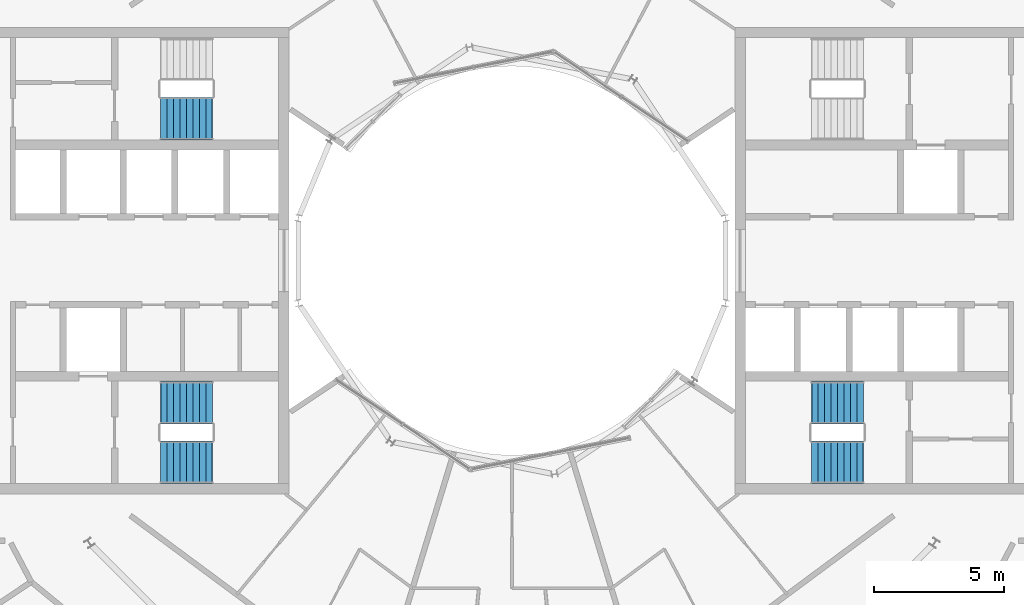
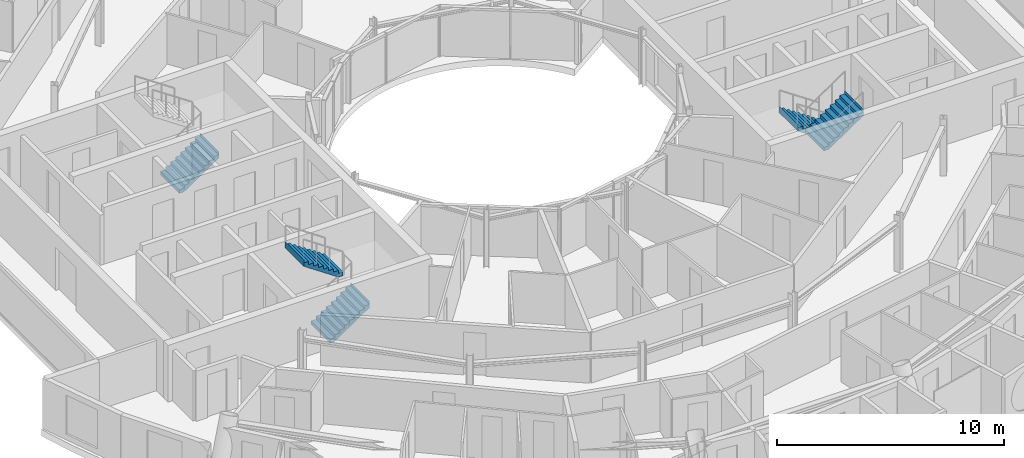
# One storey, part 25 of 28: 5 stair flights, 3 elements without a shape of their own.
"""IFC4 building model written with IfcOpenShell, lengths in metres."""

import ifcopenshell
import ifcopenshell.guid

model = None  # the IFC model being written
_history = None  # IfcOwnerHistory: only IFC2X3 demands one
_inside = {}  # id of a spatial element -> (the spatial element, [elements in it])
_under = {}  # id of a project, library or spatial element -> (it, [spatial elements below it])
_declared = {}  # id of a project -> (the project, [libraries it declares])
_typed = {}  # id of a type object -> (the type object, [elements of that type])
_made_of = {}  # id of a material, layer set ... -> (it, [elements and type objects made of it])


def new_model(schema):
    """Start an empty IFC model of exactly this schema.

    Asked for "IFC4X3", IfcOpenShell would pick the latest addendum, in which some entities
    have other attributes; the version numbers below select the first issue.
    IFC2X3 requires an IfcOwnerHistory on every rooted entity: one is made here for all.
    """
    global model, _history
    if schema == "IFC4X3":
        model = ifcopenshell.file(schema_version=(4, 3, 0, 0))
    else:
        model = ifcopenshell.file(schema=schema)
    _inside.clear()
    _under.clear()
    _declared.clear()
    _typed.clear()
    _made_of.clear()
    _history = None
    if model.schema == "IFC2X3":
        org = make("IfcOrganization", Name="unknown")
        user = make(
            "IfcPersonAndOrganization",
            ThePerson=make("IfcPerson", FamilyName="unknown"),
            TheOrganization=org,
        )
        app = make(
            "IfcApplication",
            ApplicationDeveloper=org,
            Version="unknown",
            ApplicationFullName="unknown",
            ApplicationIdentifier="unknown",
        )
        _history = make(
            "IfcOwnerHistory",
            OwningUser=user,
            OwningApplication=app,
            ChangeAction="ADDED",
            CreationDate=0,
        )
    return model


def make(cls, **values):
    """One entity of the class cls with the attributes given. An attribute that is None is left unset."""
    return model.create_entity(
        cls, **{name: value for name, value in values.items() if value is not None}
    )


def rooted(cls, **values):
    """An entity with a GlobalId (a new one), such as an element, a storey or a relation."""
    return make(cls, GlobalId=ifcopenshell.guid.new(), OwnerHistory=_history, **values)


def si_unit(unit_type, name, prefix=None):
    """IfcSIUnit, for example si_unit("LENGTHUNIT", "METRE", prefix="MILLI")."""
    return make("IfcSIUnit", UnitType=unit_type, Prefix=prefix, Name=name)


def assignment(units):
    """IfcUnitAssignment: the units of a project."""
    return None if units is None else make("IfcUnitAssignment", Units=units)


def point(xyz):
    """IfcCartesianPoint."""
    return None if xyz is None else make("IfcCartesianPoint", Coordinates=xyz)


def direction(xyz):
    """IfcDirection."""
    return None if xyz is None else make("IfcDirection", DirectionRatios=xyz)


def frame(location, z_axis=None, x_axis=None):
    """IfcAxis2Placement3D, a coordinate frame: its origin and axes. An axis left out is left unset."""
    return make(
        "IfcAxis2Placement3D",
        Location=point(location),
        Axis=direction(z_axis),
        RefDirection=direction(x_axis),
    )


def origin():
    """The frame at (0, 0, 0) with its axes left unset."""
    return frame((0.0, 0.0, 0.0))


def place(relative_to, where):
    """IfcLocalPlacement: puts the frame where relative to a parent placement (None: the world)."""
    return make(
        "IfcLocalPlacement", PlacementRelTo=relative_to, RelativePlacement=where
    )


def context(
    kind, dimensions, precision=None, world=None, true_north=None, identifier=None
):
    """IfcGeometricRepresentationContext, for example the 3D "Model" context."""
    return make(
        "IfcGeometricRepresentationContext",
        ContextIdentifier=identifier,
        ContextType=kind,
        CoordinateSpaceDimension=dimensions,
        Precision=precision,
        WorldCoordinateSystem=world,
        TrueNorth=true_north,
    )


def subcontext(parent, identifier, kind, view, scale=None):
    """IfcGeometricRepresentationSubContext, for example "Body" below "Model"."""
    return make(
        "IfcGeometricRepresentationSubContext",
        ContextIdentifier=identifier,
        ContextType=kind,
        ParentContext=parent,
        TargetScale=scale,
        TargetView=view,
    )


def project(units=None, contexts=None):
    """IfcProject with its units and contexts."""
    return rooted(
        "IfcProject",
        Name="project",
        RepresentationContexts=contexts,
        UnitsInContext=assignment(units),
    )


def spatial(cls, under=None, at=None, **own):
    """A site, building, storey or space (cls), placed at a placement, below another one or the project."""
    s = rooted(cls, ObjectPlacement=at, **own)
    if under is not None:
        _under.setdefault(under.id(), (under, []))[1].append(s)
    return s


def point_list(points):
    """IfcCartesianPointList2D or 3D."""
    cls = (
        "IfcCartesianPointList2D" if len(points[0]) == 2 else "IfcCartesianPointList3D"
    )
    return make(cls, CoordList=points)


def triangles(points, corners, closed=None, point_numbers=None):
    """IfcTriangulatedFaceSet: each triangle names its three corners, points numbered from 1."""
    return make(
        "IfcTriangulatedFaceSet",
        Coordinates=point_list(points),
        Closed=closed,
        CoordIndex=corners,
        PnIndex=point_numbers,
    )


def shape(context_of_items, identifier, shape_type, items):
    """IfcShapeRepresentation: the items that make up one representation, for example the "Body"."""
    return make(
        "IfcShapeRepresentation",
        ContextOfItems=context_of_items,
        RepresentationIdentifier=identifier,
        RepresentationType=shape_type,
        Items=items,
    )


def material(Name=None, Category=None):
    """IfcMaterial."""
    return make("IfcMaterial", Name=Name, Category=Category)


def made_of(thing, what):
    """Note that an element or type object is made of a material, layer set ...; save() writes the relation."""
    if what is not None:
        _made_of.setdefault(what.id(), (what, []))[1].append(thing)
    return thing


def type_object(cls, material=None, **own):
    """A type object (cls), such as IfcWallType, which elements share."""
    return made_of(rooted(cls, **own), material)


def element(
    cls,
    number,
    at=None,
    inside=None,
    cuts=None,
    type_object=None,
    material=None,
    context=None,
    identifier="Body",
    shape_type=None,
    held_by="IfcProductDefinitionShape",
    body=None,
    shapes=None,
    **own,
):
    """One element of the class cls, such as IfcWall. Its Tag is "e" and its number.

    at: its placement. inside: the storey or other place that contains it. cuts: it is an
    opening in that element (IfcRelVoidsElement). A single representation is given by context,
    identifier, shape_type and body (its items); several are given by shapes. held_by: the class
    of the entity that holds the representations. save() writes the other relations.
    """
    e = rooted(cls, Tag="e%d" % number, ObjectPlacement=at, **own)
    if body is not None:
        shapes = [shape(context, identifier, shape_type, body)]
    if shapes is not None:
        e.Representation = make(held_by, Representations=shapes)
    if inside is not None:
        _inside.setdefault(inside.id(), (inside, []))[1].append(e)
    if cuts is not None:
        rooted(
            "IfcRelVoidsElement", RelatingBuildingElement=cuts, RelatedOpeningElement=e
        )
    if type_object is not None:
        _typed.setdefault(type_object.id(), (type_object, []))[1].append(e)
    return made_of(e, material)


def aggregate(whole, parts):
    """IfcRelAggregates: a whole, such as a stair, and the parts it consists of."""
    return rooted("IfcRelAggregates", RelatingObject=whole, RelatedObjects=parts)


def save(model, path):
    """Write the relations noted so far, then the file.

    IfcRelAggregates (storeys below a building ...), IfcRelContainedInSpatialStructure (elements
    in a storey), IfcRelDefinesByType, IfcRelAssociatesMaterial and IfcRelDeclares: one each for
    every whole, place, type object, material and project.
    """
    for whole, parts in _under.values():
        aggregate(whole, parts)
    for where, things in _inside.values():
        rooted(
            "IfcRelContainedInSpatialStructure",
            RelatedElements=things,
            RelatingStructure=where,
        )
    for kind, things in _typed.values():
        rooted("IfcRelDefinesByType", RelatedObjects=things, RelatingType=kind)
    for what, things in _made_of.values():
        rooted("IfcRelAssociatesMaterial", RelatedObjects=things, RelatingMaterial=what)
    for by, libraries in _declared.values():
        rooted("IfcRelDeclares", RelatingContext=by, RelatedDefinitions=libraries)
    model.write(path)


model = new_model("IFC4")

# Units and contexts
model_context = context("Model", 3, precision=1e-05, world=origin(), true_north=direction((0.0, 1.0)))
body_context = subcontext(model_context, "Body", "Model", "MODEL_VIEW")
ifc_project = project(units=[si_unit("LENGTHUNIT", "METRE"), si_unit("AREAUNIT", "SQUARE_METRE"), si_unit("VOLUMEUNIT", "CUBIC_METRE"), si_unit("PLANEANGLEUNIT", "RADIAN"), si_unit("MASSUNIT", "GRAM", prefix="KILO")], contexts=[model_context])

# Site, building, storey
site_placement = place(None, origin())
site = spatial("IfcSite", under=ifc_project, at=site_placement, CompositionType="ELEMENT")
building_placement = place(site_placement, origin())
building = spatial("IfcBuilding", under=site, at=building_placement, Name="Maasbend Ring Residences", CompositionType="ELEMENT")
storey_placement = place(building_placement, frame((0.0, 0.0, 231.0)))
storey = spatial("IfcBuildingStorey", under=building, at=storey_placement, Name="L66", CompositionType="ELEMENT", Elevation=231.0)

# Stair, stair flights
ifc_material_1 = material(Name="Concrete C40/50", Category="concrete")
stair_type = type_object("IfcStairType", Name="CORE STAIR 18 RISERS", PredefinedType="HALF_TURN_STAIR", material=ifc_material_1)
stair_1_placement = place(storey_placement, origin())
stair_1 = element("IfcStair", 1, at=stair_1_placement, inside=storey, type_object=stair_type, Name="L66 Exit stair ST-E2", PredefinedType="HALF_TURN_STAIR")
ifc_material_2 = material(Name="Concrete C40/50", Category="concrete")
stair_flight_type = type_object("IfcStairFlightType", Name="CORE STAIR FLIGHT 1650", PredefinedType="STRAIGHT", material=ifc_material_2)
stair_flight_1_placement = place(storey_placement, frame((13.550048828125, -5.47509765625, 0.0), z_axis=(0.0, 0.0, 1.0), x_axis=(-1.0, 0.0, 0.0)))
stair_flight_1 = element("IfcStairFlight", 2, at=stair_flight_1_placement, type_object=stair_flight_type, Name="ST-E2 flight 1", NumberOfRisers=9, NumberOfTreads=8, PredefinedType="STRAIGHT", RiserHeight=0.169444444, TreadLength=0.25, context=body_context, shape_type="Tessellation", body=[
    triangles([(0.24072265625, 0.824951171875, -0.02001953125), (2.0029296875, 0.824951171875, 1.174560546875), (2.0029296875, 0.824951171875, 1.52490234375), (1.989990234375, 0.824951171875, 1.35546875), (1.75, 0.824951171875, 1.35546875), (1.75, 0.824951171875, 1.18603515625), (1.5, 0.824951171875, 1.18603515625), (1.5, 0.824951171875, 1.0166015625), (1.25, 0.824951171875, 1.0166015625), (1.25, 0.824951171875, 0.84716796875), (1.0, 0.824951171875, 0.84716796875), (1.0, 0.824951171875, 0.677734375), (0.75, 0.824951171875, 0.677734375), (0.75, 0.824951171875, 0.50830078125), (0.5, 0.824951171875, 0.50830078125), (0.5, 0.824951171875, 0.3388671875), (0.25, 0.824951171875, 0.3388671875), (0.25, 0.824951171875, 0.16943359375), (0.0, 0.824951171875, 0.16943359375), (0.0, 0.824951171875, 0.0), (-0.0029296875, 0.824951171875, 0.0), (-0.0029296875, 0.824951171875, -0.02001953125), (0.24072265625, 0.27490234375, -0.02001953125), (2.0029296875, 0.27490234375, 1.174560546875), (2.0029296875, 0.27490234375, 1.52490234375), (1.989990234375, 0.27490234375, 1.35546875), (1.75, 0.27490234375, 1.35546875), (1.75, 0.27490234375, 1.18603515625), (1.5, 0.27490234375, 1.18603515625), (1.5, 0.27490234375, 1.0166015625), (1.25, 0.27490234375, 1.0166015625), (1.25, 0.27490234375, 0.84716796875), (1.0, 0.27490234375, 0.84716796875), (1.0, 0.27490234375, 0.677734375), (0.75, 0.27490234375, 0.677734375), (0.75, 0.27490234375, 0.50830078125), (0.5, 0.27490234375, 0.50830078125), (0.5, 0.27490234375, 0.3388671875), (0.25, 0.27490234375, 0.3388671875), (0.25, 0.27490234375, 0.16943359375), (0.0, 0.27490234375, 0.16943359375), (0.0, 0.27490234375, 0.0), (-0.0029296875, 0.27490234375, 0.0), (-0.0029296875, 0.27490234375, -0.02001953125), (0.24072265625, -0.27490234375, -0.02001953125), (2.0029296875, -0.27490234375, 1.174560546875), (2.0029296875, -0.27490234375, 1.52490234375), (1.989990234375, -0.27490234375, 1.35546875), (1.75, -0.27490234375, 1.35546875), (1.75, -0.27490234375, 1.18603515625), (1.5, -0.27490234375, 1.18603515625), (1.5, -0.27490234375, 1.0166015625), (1.25, -0.27490234375, 1.0166015625), (1.25, -0.27490234375, 0.84716796875), (1.0, -0.27490234375, 0.84716796875), (1.0, -0.27490234375, 0.677734375), (0.75, -0.27490234375, 0.677734375), (0.75, -0.27490234375, 0.50830078125), (0.5, -0.27490234375, 0.50830078125), (0.5, -0.27490234375, 0.3388671875), (0.25, -0.27490234375, 0.3388671875), (0.25, -0.27490234375, 0.16943359375), (0.0, -0.27490234375, 0.16943359375), (0.0, -0.27490234375, 0.0), (-0.0029296875, -0.27490234375, 0.0), (-0.0029296875, -0.27490234375, -0.02001953125), (0.24072265625, -0.824951171875, -0.02001953125), (2.0029296875, -0.824951171875, 1.174560546875), (2.0029296875, -0.824951171875, 1.52490234375), (1.989990234375, -0.824951171875, 1.35546875), (1.75, -0.824951171875, 1.35546875), (1.75, -0.824951171875, 1.18603515625), (1.5, -0.824951171875, 1.18603515625), (1.5, -0.824951171875, 1.0166015625), (1.25, -0.824951171875, 1.0166015625), (1.25, -0.824951171875, 0.84716796875), (1.0, -0.824951171875, 0.84716796875), (1.0, -0.824951171875, 0.677734375), (0.75, -0.824951171875, 0.677734375), (0.75, -0.824951171875, 0.50830078125), (0.5, -0.824951171875, 0.50830078125), (0.5, -0.824951171875, 0.3388671875), (0.25, -0.824951171875, 0.3388671875), (0.25, -0.824951171875, 0.16943359375), (0.0, -0.824951171875, 0.16943359375), (0.0, -0.824951171875, 0.0), (-0.0029296875, -0.824951171875, 0.0), (-0.0029296875, -0.824951171875, -0.02001953125)], [[1, 2, 24], [1, 24, 23], [23, 24, 46], [23, 46, 45], [45, 46, 68], [45, 68, 67], [2, 3, 25], [2, 25, 24], [24, 25, 47], [24, 47, 46], [46, 47, 69], [46, 69, 68], [3, 4, 26], [3, 26, 25], [25, 26, 48], [25, 48, 47], [47, 48, 70], [47, 70, 69], [4, 5, 27], [4, 27, 26], [26, 27, 49], [26, 49, 48], [48, 49, 71], [48, 71, 70], [5, 6, 28], [5, 28, 27], [27, 28, 50], [27, 50, 49], [49, 50, 72], [49, 72, 71], [6, 7, 29], [6, 29, 28], [28, 29, 51], [28, 51, 50], [50, 51, 73], [50, 73, 72], [7, 8, 30], [7, 30, 29], [29, 30, 52], [29, 52, 51], [51, 52, 74], [51, 74, 73], [8, 9, 31], [8, 31, 30], [30, 31, 53], [30, 53, 52], [52, 53, 75], [52, 75, 74], [9, 10, 32], [9, 32, 31], [31, 32, 54], [31, 54, 53], [53, 54, 76], [53, 76, 75], [10, 11, 33], [10, 33, 32], [32, 33, 55], [32, 55, 54], [54, 55, 77], [54, 77, 76], [11, 12, 34], [11, 34, 33], [33, 34, 56], [33, 56, 55], [55, 56, 78], [55, 78, 77], [12, 13, 35], [12, 35, 34], [34, 35, 57], [34, 57, 56], [56, 57, 79], [56, 79, 78], [13, 14, 36], [13, 36, 35], [35, 36, 58], [35, 58, 57], [57, 58, 80], [57, 80, 79], [14, 15, 37], [14, 37, 36], [36, 37, 59], [36, 59, 58], [58, 59, 81], [58, 81, 80], [15, 16, 38], [15, 38, 37], [37, 38, 60], [37, 60, 59], [59, 60, 82], [59, 82, 81], [16, 17, 39], [16, 39, 38], [38, 39, 61], [38, 61, 60], [60, 61, 83], [60, 83, 82], [17, 18, 40], [17, 40, 39], [39, 40, 62], [39, 62, 61], [61, 62, 84], [61, 84, 83], [18, 19, 41], [18, 41, 40], [40, 41, 63], [40, 63, 62], [62, 63, 85], [62, 85, 84], [19, 20, 42], [19, 42, 41], [41, 42, 64], [41, 64, 63], [63, 64, 86], [63, 86, 85], [20, 21, 43], [20, 43, 42], [42, 43, 65], [42, 65, 64], [64, 65, 87], [64, 87, 86], [21, 22, 44], [21, 44, 43], [43, 44, 66], [43, 66, 65], [65, 66, 88], [65, 88, 87], [22, 1, 23], [22, 23, 44], [44, 23, 45], [44, 45, 66], [66, 45, 67], [66, 67, 88], [22, 2, 1], [2, 4, 3], [2, 5, 4], [2, 6, 5], [22, 6, 2], [6, 8, 7], [22, 8, 6], [8, 10, 9], [22, 10, 8], [10, 12, 11], [22, 12, 10], [12, 14, 13], [22, 14, 12], [14, 16, 15], [22, 16, 14], [16, 18, 17], [22, 18, 16], [18, 20, 19], [22, 20, 18], [20, 22, 21], [88, 67, 68], [68, 69, 70], [68, 70, 71], [68, 71, 72], [88, 68, 72], [72, 73, 74], [88, 72, 74], [74, 75, 76], [88, 74, 76], [76, 77, 78], [88, 76, 78], [78, 79, 80], [88, 78, 80], [80, 81, 82], [88, 80, 82], [82, 83, 84], [88, 82, 84], [84, 85, 86], [88, 84, 86], [86, 87, 88]], closed=True),
])
stair_flight_2_placement = place(storey_placement, frame((11.550048828125, -7.77490234375, 1.52490234375), z_axis=(0.0, 0.0, 1.0), x_axis=(1.0, 0.0, 0.0)))
stair_flight_2 = element("IfcStairFlight", 3, at=stair_flight_2_placement, type_object=stair_flight_type, Name="ST-E2 flight 2", NumberOfRisers=9, NumberOfTreads=8, PredefinedType="STRAIGHT", RiserHeight=0.169444444, TreadLength=0.25, context=body_context, shape_type="Tessellation", body=[
    triangles([(0.24072265625, 0.824951171875, -0.02001953125), (2.0029296875, 0.824951171875, 1.174560546875), (2.0029296875, 0.824951171875, 1.52490234375), (1.989990234375, 0.824951171875, 1.35546875), (1.75, 0.824951171875, 1.35546875), (1.75, 0.824951171875, 1.18603515625), (1.5, 0.824951171875, 1.18603515625), (1.5, 0.824951171875, 1.0166015625), (1.25, 0.824951171875, 1.0166015625), (1.25, 0.824951171875, 0.84716796875), (1.0, 0.824951171875, 0.84716796875), (1.0, 0.824951171875, 0.677734375), (0.75, 0.824951171875, 0.677734375), (0.75, 0.824951171875, 0.50830078125), (0.5, 0.824951171875, 0.50830078125), (0.5, 0.824951171875, 0.3388671875), (0.25, 0.824951171875, 0.3388671875), (0.25, 0.824951171875, 0.16943359375), (0.0, 0.824951171875, 0.16943359375), (0.0, 0.824951171875, 0.0), (-0.0029296875, 0.824951171875, 0.0), (-0.0029296875, 0.824951171875, -0.02001953125), (0.24072265625, 0.27490234375, -0.02001953125), (2.0029296875, 0.27490234375, 1.174560546875), (2.0029296875, 0.27490234375, 1.52490234375), (1.989990234375, 0.27490234375, 1.35546875), (1.75, 0.27490234375, 1.35546875), (1.75, 0.27490234375, 1.18603515625), (1.5, 0.27490234375, 1.18603515625), (1.5, 0.27490234375, 1.0166015625), (1.25, 0.27490234375, 1.0166015625), (1.25, 0.27490234375, 0.84716796875), (1.0, 0.27490234375, 0.84716796875), (1.0, 0.27490234375, 0.677734375), (0.75, 0.27490234375, 0.677734375), (0.75, 0.27490234375, 0.50830078125), (0.5, 0.27490234375, 0.50830078125), (0.5, 0.27490234375, 0.3388671875), (0.25, 0.27490234375, 0.3388671875), (0.25, 0.27490234375, 0.16943359375), (0.0, 0.27490234375, 0.16943359375), (0.0, 0.27490234375, 0.0), (-0.0029296875, 0.27490234375, 0.0), (-0.0029296875, 0.27490234375, -0.02001953125), (0.24072265625, -0.27490234375, -0.02001953125), (2.0029296875, -0.27490234375, 1.174560546875), (2.0029296875, -0.27490234375, 1.52490234375), (1.989990234375, -0.27490234375, 1.35546875), (1.75, -0.27490234375, 1.35546875), (1.75, -0.27490234375, 1.18603515625), (1.5, -0.27490234375, 1.18603515625), (1.5, -0.27490234375, 1.0166015625), (1.25, -0.27490234375, 1.0166015625), (1.25, -0.27490234375, 0.84716796875), (1.0, -0.27490234375, 0.84716796875), (1.0, -0.27490234375, 0.677734375), (0.75, -0.27490234375, 0.677734375), (0.75, -0.27490234375, 0.50830078125), (0.5, -0.27490234375, 0.50830078125), (0.5, -0.27490234375, 0.3388671875), (0.25, -0.27490234375, 0.3388671875), (0.25, -0.27490234375, 0.16943359375), (0.0, -0.27490234375, 0.16943359375), (0.0, -0.27490234375, 0.0), (-0.0029296875, -0.27490234375, 0.0), (-0.0029296875, -0.27490234375, -0.02001953125), (0.24072265625, -0.824951171875, -0.02001953125), (2.0029296875, -0.824951171875, 1.174560546875), (2.0029296875, -0.824951171875, 1.52490234375), (1.989990234375, -0.824951171875, 1.35546875), (1.75, -0.824951171875, 1.35546875), (1.75, -0.824951171875, 1.18603515625), (1.5, -0.824951171875, 1.18603515625), (1.5, -0.824951171875, 1.0166015625), (1.25, -0.824951171875, 1.0166015625), (1.25, -0.824951171875, 0.84716796875), (1.0, -0.824951171875, 0.84716796875), (1.0, -0.824951171875, 0.677734375), (0.75, -0.824951171875, 0.677734375), (0.75, -0.824951171875, 0.50830078125), (0.5, -0.824951171875, 0.50830078125), (0.5, -0.824951171875, 0.3388671875), (0.25, -0.824951171875, 0.3388671875), (0.25, -0.824951171875, 0.16943359375), (0.0, -0.824951171875, 0.16943359375), (0.0, -0.824951171875, 0.0), (-0.0029296875, -0.824951171875, 0.0), (-0.0029296875, -0.824951171875, -0.02001953125)], [[1, 2, 24], [1, 24, 23], [23, 24, 46], [23, 46, 45], [45, 46, 68], [45, 68, 67], [2, 3, 25], [2, 25, 24], [24, 25, 47], [24, 47, 46], [46, 47, 69], [46, 69, 68], [3, 4, 26], [3, 26, 25], [25, 26, 48], [25, 48, 47], [47, 48, 70], [47, 70, 69], [4, 5, 27], [4, 27, 26], [26, 27, 49], [26, 49, 48], [48, 49, 71], [48, 71, 70], [5, 6, 28], [5, 28, 27], [27, 28, 50], [27, 50, 49], [49, 50, 72], [49, 72, 71], [6, 7, 29], [6, 29, 28], [28, 29, 51], [28, 51, 50], [50, 51, 73], [50, 73, 72], [7, 8, 30], [7, 30, 29], [29, 30, 52], [29, 52, 51], [51, 52, 74], [51, 74, 73], [8, 9, 31], [8, 31, 30], [30, 31, 53], [30, 53, 52], [52, 53, 75], [52, 75, 74], [9, 10, 32], [9, 32, 31], [31, 32, 54], [31, 54, 53], [53, 54, 76], [53, 76, 75], [10, 11, 33], [10, 33, 32], [32, 33, 55], [32, 55, 54], [54, 55, 77], [54, 77, 76], [11, 12, 34], [11, 34, 33], [33, 34, 56], [33, 56, 55], [55, 56, 78], [55, 78, 77], [12, 13, 35], [12, 35, 34], [34, 35, 57], [34, 57, 56], [56, 57, 79], [56, 79, 78], [13, 14, 36], [13, 36, 35], [35, 36, 58], [35, 58, 57], [57, 58, 80], [57, 80, 79], [14, 15, 37], [14, 37, 36], [36, 37, 59], [36, 59, 58], [58, 59, 81], [58, 81, 80], [15, 16, 38], [15, 38, 37], [37, 38, 60], [37, 60, 59], [59, 60, 82], [59, 82, 81], [16, 17, 39], [16, 39, 38], [38, 39, 61], [38, 61, 60], [60, 61, 83], [60, 83, 82], [17, 18, 40], [17, 40, 39], [39, 40, 62], [39, 62, 61], [61, 62, 84], [61, 84, 83], [18, 19, 41], [18, 41, 40], [40, 41, 63], [40, 63, 62], [62, 63, 85], [62, 85, 84], [19, 20, 42], [19, 42, 41], [41, 42, 64], [41, 64, 63], [63, 64, 86], [63, 86, 85], [20, 21, 43], [20, 43, 42], [42, 43, 65], [42, 65, 64], [64, 65, 87], [64, 87, 86], [21, 22, 44], [21, 44, 43], [43, 44, 66], [43, 66, 65], [65, 66, 88], [65, 88, 87], [22, 1, 23], [22, 23, 44], [44, 23, 45], [44, 45, 66], [66, 45, 67], [66, 67, 88], [22, 2, 1], [2, 4, 3], [2, 5, 4], [2, 6, 5], [22, 6, 2], [6, 8, 7], [22, 8, 6], [8, 10, 9], [22, 10, 8], [10, 12, 11], [22, 12, 10], [12, 14, 13], [22, 14, 12], [14, 16, 15], [22, 16, 14], [16, 18, 17], [22, 18, 16], [18, 20, 19], [22, 20, 18], [20, 22, 21], [88, 67, 68], [68, 69, 70], [68, 70, 71], [68, 71, 72], [88, 68, 72], [72, 73, 74], [88, 72, 74], [74, 75, 76], [88, 74, 76], [76, 77, 78], [88, 76, 78], [78, 79, 80], [88, 78, 80], [80, 81, 82], [88, 80, 82], [82, 83, 84], [88, 82, 84], [84, 85, 86], [88, 84, 86], [86, 87, 88]], closed=True),
])
aggregate(stair_1, [stair_flight_1, stair_flight_2])

stair_2_placement = place(storey_placement, origin())
stair_2 = element("IfcStair", 4, at=stair_2_placement, inside=storey, type_object=stair_type, Name="L66 Exit stair ST-W1", PredefinedType="HALF_TURN_STAIR")
stair_flight_3_placement = place(storey_placement, frame((-13.550048828125, -7.77490234375, 0.0), z_axis=(0.0, 0.0, 1.0), x_axis=(1.0, 0.0, 0.0)))
stair_flight_3 = element("IfcStairFlight", 5, at=stair_flight_3_placement, type_object=stair_flight_type, Name="ST-W1 flight 1", NumberOfRisers=9, NumberOfTreads=8, PredefinedType="STRAIGHT", RiserHeight=0.169444444, TreadLength=0.25, context=body_context, shape_type="Tessellation", body=[
    triangles([(0.24072265625, 0.824951171875, -0.02001953125), (2.0029296875, 0.824951171875, 1.174560546875), (2.0029296875, 0.824951171875, 1.52490234375), (1.989990234375, 0.824951171875, 1.35546875), (1.75, 0.824951171875, 1.35546875), (1.75, 0.824951171875, 1.18603515625), (1.5, 0.824951171875, 1.18603515625), (1.5, 0.824951171875, 1.0166015625), (1.25, 0.824951171875, 1.0166015625), (1.25, 0.824951171875, 0.84716796875), (1.0, 0.824951171875, 0.84716796875), (1.0, 0.824951171875, 0.677734375), (0.75, 0.824951171875, 0.677734375), (0.75, 0.824951171875, 0.50830078125), (0.5, 0.824951171875, 0.50830078125), (0.5, 0.824951171875, 0.3388671875), (0.25, 0.824951171875, 0.3388671875), (0.25, 0.824951171875, 0.16943359375), (0.0, 0.824951171875, 0.16943359375), (0.0, 0.824951171875, 0.0), (-0.0029296875, 0.824951171875, 0.0), (-0.0029296875, 0.824951171875, -0.02001953125), (0.24072265625, 0.27490234375, -0.02001953125), (2.0029296875, 0.27490234375, 1.174560546875), (2.0029296875, 0.27490234375, 1.52490234375), (1.989990234375, 0.27490234375, 1.35546875), (1.75, 0.27490234375, 1.35546875), (1.75, 0.27490234375, 1.18603515625), (1.5, 0.27490234375, 1.18603515625), (1.5, 0.27490234375, 1.0166015625), (1.25, 0.27490234375, 1.0166015625), (1.25, 0.27490234375, 0.84716796875), (1.0, 0.27490234375, 0.84716796875), (1.0, 0.27490234375, 0.677734375), (0.75, 0.27490234375, 0.677734375), (0.75, 0.27490234375, 0.50830078125), (0.5, 0.27490234375, 0.50830078125), (0.5, 0.27490234375, 0.3388671875), (0.25, 0.27490234375, 0.3388671875), (0.25, 0.27490234375, 0.16943359375), (0.0, 0.27490234375, 0.16943359375), (0.0, 0.27490234375, 0.0), (-0.0029296875, 0.27490234375, 0.0), (-0.0029296875, 0.27490234375, -0.02001953125), (0.24072265625, -0.27490234375, -0.02001953125), (2.0029296875, -0.27490234375, 1.174560546875), (2.0029296875, -0.27490234375, 1.52490234375), (1.989990234375, -0.27490234375, 1.35546875), (1.75, -0.27490234375, 1.35546875), (1.75, -0.27490234375, 1.18603515625), (1.5, -0.27490234375, 1.18603515625), (1.5, -0.27490234375, 1.0166015625), (1.25, -0.27490234375, 1.0166015625), (1.25, -0.27490234375, 0.84716796875), (1.0, -0.27490234375, 0.84716796875), (1.0, -0.27490234375, 0.677734375), (0.75, -0.27490234375, 0.677734375), (0.75, -0.27490234375, 0.50830078125), (0.5, -0.27490234375, 0.50830078125), (0.5, -0.27490234375, 0.3388671875), (0.25, -0.27490234375, 0.3388671875), (0.25, -0.27490234375, 0.16943359375), (0.0, -0.27490234375, 0.16943359375), (0.0, -0.27490234375, 0.0), (-0.0029296875, -0.27490234375, 0.0), (-0.0029296875, -0.27490234375, -0.02001953125), (0.24072265625, -0.824951171875, -0.02001953125), (2.0029296875, -0.824951171875, 1.174560546875), (2.0029296875, -0.824951171875, 1.52490234375), (1.989990234375, -0.824951171875, 1.35546875), (1.75, -0.824951171875, 1.35546875), (1.75, -0.824951171875, 1.18603515625), (1.5, -0.824951171875, 1.18603515625), (1.5, -0.824951171875, 1.0166015625), (1.25, -0.824951171875, 1.0166015625), (1.25, -0.824951171875, 0.84716796875), (1.0, -0.824951171875, 0.84716796875), (1.0, -0.824951171875, 0.677734375), (0.75, -0.824951171875, 0.677734375), (0.75, -0.824951171875, 0.50830078125), (0.5, -0.824951171875, 0.50830078125), (0.5, -0.824951171875, 0.3388671875), (0.25, -0.824951171875, 0.3388671875), (0.25, -0.824951171875, 0.16943359375), (0.0, -0.824951171875, 0.16943359375), (0.0, -0.824951171875, 0.0), (-0.0029296875, -0.824951171875, 0.0), (-0.0029296875, -0.824951171875, -0.02001953125)], [[1, 2, 24], [1, 24, 23], [23, 24, 46], [23, 46, 45], [45, 46, 68], [45, 68, 67], [2, 3, 25], [2, 25, 24], [24, 25, 47], [24, 47, 46], [46, 47, 69], [46, 69, 68], [3, 4, 26], [3, 26, 25], [25, 26, 48], [25, 48, 47], [47, 48, 70], [47, 70, 69], [4, 5, 27], [4, 27, 26], [26, 27, 49], [26, 49, 48], [48, 49, 71], [48, 71, 70], [5, 6, 28], [5, 28, 27], [27, 28, 50], [27, 50, 49], [49, 50, 72], [49, 72, 71], [6, 7, 29], [6, 29, 28], [28, 29, 51], [28, 51, 50], [50, 51, 73], [50, 73, 72], [7, 8, 30], [7, 30, 29], [29, 30, 52], [29, 52, 51], [51, 52, 74], [51, 74, 73], [8, 9, 31], [8, 31, 30], [30, 31, 53], [30, 53, 52], [52, 53, 75], [52, 75, 74], [9, 10, 32], [9, 32, 31], [31, 32, 54], [31, 54, 53], [53, 54, 76], [53, 76, 75], [10, 11, 33], [10, 33, 32], [32, 33, 55], [32, 55, 54], [54, 55, 77], [54, 77, 76], [11, 12, 34], [11, 34, 33], [33, 34, 56], [33, 56, 55], [55, 56, 78], [55, 78, 77], [12, 13, 35], [12, 35, 34], [34, 35, 57], [34, 57, 56], [56, 57, 79], [56, 79, 78], [13, 14, 36], [13, 36, 35], [35, 36, 58], [35, 58, 57], [57, 58, 80], [57, 80, 79], [14, 15, 37], [14, 37, 36], [36, 37, 59], [36, 59, 58], [58, 59, 81], [58, 81, 80], [15, 16, 38], [15, 38, 37], [37, 38, 60], [37, 60, 59], [59, 60, 82], [59, 82, 81], [16, 17, 39], [16, 39, 38], [38, 39, 61], [38, 61, 60], [60, 61, 83], [60, 83, 82], [17, 18, 40], [17, 40, 39], [39, 40, 62], [39, 62, 61], [61, 62, 84], [61, 84, 83], [18, 19, 41], [18, 41, 40], [40, 41, 63], [40, 63, 62], [62, 63, 85], [62, 85, 84], [19, 20, 42], [19, 42, 41], [41, 42, 64], [41, 64, 63], [63, 64, 86], [63, 86, 85], [20, 21, 43], [20, 43, 42], [42, 43, 65], [42, 65, 64], [64, 65, 87], [64, 87, 86], [21, 22, 44], [21, 44, 43], [43, 44, 66], [43, 66, 65], [65, 66, 88], [65, 88, 87], [22, 1, 23], [22, 23, 44], [44, 23, 45], [44, 45, 66], [66, 45, 67], [66, 67, 88], [22, 2, 1], [2, 4, 3], [2, 5, 4], [2, 6, 5], [22, 6, 2], [6, 8, 7], [22, 8, 6], [8, 10, 9], [22, 10, 8], [10, 12, 11], [22, 12, 10], [12, 14, 13], [22, 14, 12], [14, 16, 15], [22, 16, 14], [16, 18, 17], [22, 18, 16], [18, 20, 19], [22, 20, 18], [20, 22, 21], [88, 67, 68], [68, 69, 70], [68, 70, 71], [68, 71, 72], [88, 68, 72], [72, 73, 74], [88, 72, 74], [74, 75, 76], [88, 74, 76], [76, 77, 78], [88, 76, 78], [78, 79, 80], [88, 78, 80], [80, 81, 82], [88, 80, 82], [82, 83, 84], [88, 82, 84], [84, 85, 86], [88, 84, 86], [86, 87, 88]], closed=True),
])
stair_flight_4_placement = place(storey_placement, frame((-11.550048828125, -5.47509765625, 1.52490234375), z_axis=(0.0, 0.0, 1.0), x_axis=(-1.0, 0.0, 0.0)))
stair_flight_4 = element("IfcStairFlight", 6, at=stair_flight_4_placement, type_object=stair_flight_type, Name="ST-W1 flight 2", NumberOfRisers=9, NumberOfTreads=8, PredefinedType="STRAIGHT", RiserHeight=0.169444444, TreadLength=0.25, context=body_context, shape_type="Tessellation", body=[
    triangles([(0.24072265625, 0.824951171875, -0.02001953125), (2.0029296875, 0.824951171875, 1.174560546875), (2.0029296875, 0.824951171875, 1.52490234375), (1.989990234375, 0.824951171875, 1.35546875), (1.75, 0.824951171875, 1.35546875), (1.75, 0.824951171875, 1.18603515625), (1.5, 0.824951171875, 1.18603515625), (1.5, 0.824951171875, 1.0166015625), (1.25, 0.824951171875, 1.0166015625), (1.25, 0.824951171875, 0.84716796875), (1.0, 0.824951171875, 0.84716796875), (1.0, 0.824951171875, 0.677734375), (0.75, 0.824951171875, 0.677734375), (0.75, 0.824951171875, 0.50830078125), (0.5, 0.824951171875, 0.50830078125), (0.5, 0.824951171875, 0.3388671875), (0.25, 0.824951171875, 0.3388671875), (0.25, 0.824951171875, 0.16943359375), (0.0, 0.824951171875, 0.16943359375), (0.0, 0.824951171875, 0.0), (-0.0029296875, 0.824951171875, 0.0), (-0.0029296875, 0.824951171875, -0.02001953125), (0.24072265625, 0.27490234375, -0.02001953125), (2.0029296875, 0.27490234375, 1.174560546875), (2.0029296875, 0.27490234375, 1.52490234375), (1.989990234375, 0.27490234375, 1.35546875), (1.75, 0.27490234375, 1.35546875), (1.75, 0.27490234375, 1.18603515625), (1.5, 0.27490234375, 1.18603515625), (1.5, 0.27490234375, 1.0166015625), (1.25, 0.27490234375, 1.0166015625), (1.25, 0.27490234375, 0.84716796875), (1.0, 0.27490234375, 0.84716796875), (1.0, 0.27490234375, 0.677734375), (0.75, 0.27490234375, 0.677734375), (0.75, 0.27490234375, 0.50830078125), (0.5, 0.27490234375, 0.50830078125), (0.5, 0.27490234375, 0.3388671875), (0.25, 0.27490234375, 0.3388671875), (0.25, 0.27490234375, 0.16943359375), (0.0, 0.27490234375, 0.16943359375), (0.0, 0.27490234375, 0.0), (-0.0029296875, 0.27490234375, 0.0), (-0.0029296875, 0.27490234375, -0.02001953125), (0.24072265625, -0.27490234375, -0.02001953125), (2.0029296875, -0.27490234375, 1.174560546875), (2.0029296875, -0.27490234375, 1.52490234375), (1.989990234375, -0.27490234375, 1.35546875), (1.75, -0.27490234375, 1.35546875), (1.75, -0.27490234375, 1.18603515625), (1.5, -0.27490234375, 1.18603515625), (1.5, -0.27490234375, 1.0166015625), (1.25, -0.27490234375, 1.0166015625), (1.25, -0.27490234375, 0.84716796875), (1.0, -0.27490234375, 0.84716796875), (1.0, -0.27490234375, 0.677734375), (0.75, -0.27490234375, 0.677734375), (0.75, -0.27490234375, 0.50830078125), (0.5, -0.27490234375, 0.50830078125), (0.5, -0.27490234375, 0.3388671875), (0.25, -0.27490234375, 0.3388671875), (0.25, -0.27490234375, 0.16943359375), (0.0, -0.27490234375, 0.16943359375), (0.0, -0.27490234375, 0.0), (-0.0029296875, -0.27490234375, 0.0), (-0.0029296875, -0.27490234375, -0.02001953125), (0.24072265625, -0.824951171875, -0.02001953125), (2.0029296875, -0.824951171875, 1.174560546875), (2.0029296875, -0.824951171875, 1.52490234375), (1.989990234375, -0.824951171875, 1.35546875), (1.75, -0.824951171875, 1.35546875), (1.75, -0.824951171875, 1.18603515625), (1.5, -0.824951171875, 1.18603515625), (1.5, -0.824951171875, 1.0166015625), (1.25, -0.824951171875, 1.0166015625), (1.25, -0.824951171875, 0.84716796875), (1.0, -0.824951171875, 0.84716796875), (1.0, -0.824951171875, 0.677734375), (0.75, -0.824951171875, 0.677734375), (0.75, -0.824951171875, 0.50830078125), (0.5, -0.824951171875, 0.50830078125), (0.5, -0.824951171875, 0.3388671875), (0.25, -0.824951171875, 0.3388671875), (0.25, -0.824951171875, 0.16943359375), (0.0, -0.824951171875, 0.16943359375), (0.0, -0.824951171875, 0.0), (-0.0029296875, -0.824951171875, 0.0), (-0.0029296875, -0.824951171875, -0.02001953125)], [[1, 2, 24], [1, 24, 23], [23, 24, 46], [23, 46, 45], [45, 46, 68], [45, 68, 67], [2, 3, 25], [2, 25, 24], [24, 25, 47], [24, 47, 46], [46, 47, 69], [46, 69, 68], [3, 4, 26], [3, 26, 25], [25, 26, 48], [25, 48, 47], [47, 48, 70], [47, 70, 69], [4, 5, 27], [4, 27, 26], [26, 27, 49], [26, 49, 48], [48, 49, 71], [48, 71, 70], [5, 6, 28], [5, 28, 27], [27, 28, 50], [27, 50, 49], [49, 50, 72], [49, 72, 71], [6, 7, 29], [6, 29, 28], [28, 29, 51], [28, 51, 50], [50, 51, 73], [50, 73, 72], [7, 8, 30], [7, 30, 29], [29, 30, 52], [29, 52, 51], [51, 52, 74], [51, 74, 73], [8, 9, 31], [8, 31, 30], [30, 31, 53], [30, 53, 52], [52, 53, 75], [52, 75, 74], [9, 10, 32], [9, 32, 31], [31, 32, 54], [31, 54, 53], [53, 54, 76], [53, 76, 75], [10, 11, 33], [10, 33, 32], [32, 33, 55], [32, 55, 54], [54, 55, 77], [54, 77, 76], [11, 12, 34], [11, 34, 33], [33, 34, 56], [33, 56, 55], [55, 56, 78], [55, 78, 77], [12, 13, 35], [12, 35, 34], [34, 35, 57], [34, 57, 56], [56, 57, 79], [56, 79, 78], [13, 14, 36], [13, 36, 35], [35, 36, 58], [35, 58, 57], [57, 58, 80], [57, 80, 79], [14, 15, 37], [14, 37, 36], [36, 37, 59], [36, 59, 58], [58, 59, 81], [58, 81, 80], [15, 16, 38], [15, 38, 37], [37, 38, 60], [37, 60, 59], [59, 60, 82], [59, 82, 81], [16, 17, 39], [16, 39, 38], [38, 39, 61], [38, 61, 60], [60, 61, 83], [60, 83, 82], [17, 18, 40], [17, 40, 39], [39, 40, 62], [39, 62, 61], [61, 62, 84], [61, 84, 83], [18, 19, 41], [18, 41, 40], [40, 41, 63], [40, 63, 62], [62, 63, 85], [62, 85, 84], [19, 20, 42], [19, 42, 41], [41, 42, 64], [41, 64, 63], [63, 64, 86], [63, 86, 85], [20, 21, 43], [20, 43, 42], [42, 43, 65], [42, 65, 64], [64, 65, 87], [64, 87, 86], [21, 22, 44], [21, 44, 43], [43, 44, 66], [43, 66, 65], [65, 66, 88], [65, 88, 87], [22, 1, 23], [22, 23, 44], [44, 23, 45], [44, 45, 66], [66, 45, 67], [66, 67, 88], [22, 2, 1], [2, 4, 3], [2, 5, 4], [2, 6, 5], [22, 6, 2], [6, 8, 7], [22, 8, 6], [8, 10, 9], [22, 10, 8], [10, 12, 11], [22, 12, 10], [12, 14, 13], [22, 14, 12], [14, 16, 15], [22, 16, 14], [16, 18, 17], [22, 18, 16], [18, 20, 19], [22, 20, 18], [20, 22, 21], [88, 67, 68], [68, 69, 70], [68, 70, 71], [68, 71, 72], [88, 68, 72], [72, 73, 74], [88, 72, 74], [74, 75, 76], [88, 74, 76], [76, 77, 78], [88, 76, 78], [78, 79, 80], [88, 78, 80], [80, 81, 82], [88, 80, 82], [82, 83, 84], [88, 82, 84], [84, 85, 86], [88, 84, 86], [86, 87, 88]], closed=True),
])
aggregate(stair_2, [stair_flight_3, stair_flight_4])

# Stair, stair flight
stair_3_placement = place(storey_placement, origin())
stair_3 = element("IfcStair", 7, at=stair_3_placement, inside=storey, type_object=stair_type, Name="L66 Exit stair ST-W2", PredefinedType="HALF_TURN_STAIR")
stair_flight_5_placement = place(storey_placement, frame((-13.550048828125, 5.47509765625, 0.0), z_axis=(0.0, 0.0, 1.0), x_axis=(1.0, 0.0, 0.0)))
stair_flight_5 = element("IfcStairFlight", 8, at=stair_flight_5_placement, type_object=stair_flight_type, Name="ST-W2 flight 1", NumberOfRisers=9, NumberOfTreads=8, PredefinedType="STRAIGHT", RiserHeight=0.169444444, TreadLength=0.25, context=body_context, shape_type="Tessellation", body=[
    triangles([(0.24072265625, 0.824951171875, -0.02001953125), (2.0029296875, 0.824951171875, 1.174560546875), (2.0029296875, 0.824951171875, 1.52490234375), (1.989990234375, 0.824951171875, 1.35546875), (1.75, 0.824951171875, 1.35546875), (1.75, 0.824951171875, 1.18603515625), (1.5, 0.824951171875, 1.18603515625), (1.5, 0.824951171875, 1.0166015625), (1.25, 0.824951171875, 1.0166015625), (1.25, 0.824951171875, 0.84716796875), (1.0, 0.824951171875, 0.84716796875), (1.0, 0.824951171875, 0.677734375), (0.75, 0.824951171875, 0.677734375), (0.75, 0.824951171875, 0.50830078125), (0.5, 0.824951171875, 0.50830078125), (0.5, 0.824951171875, 0.3388671875), (0.25, 0.824951171875, 0.3388671875), (0.25, 0.824951171875, 0.16943359375), (0.0, 0.824951171875, 0.16943359375), (0.0, 0.824951171875, 0.0), (-0.0029296875, 0.824951171875, 0.0), (-0.0029296875, 0.824951171875, -0.02001953125), (0.24072265625, 0.27490234375, -0.02001953125), (2.0029296875, 0.27490234375, 1.174560546875), (2.0029296875, 0.27490234375, 1.52490234375), (1.989990234375, 0.27490234375, 1.35546875), (1.75, 0.27490234375, 1.35546875), (1.75, 0.27490234375, 1.18603515625), (1.5, 0.27490234375, 1.18603515625), (1.5, 0.27490234375, 1.0166015625), (1.25, 0.27490234375, 1.0166015625), (1.25, 0.27490234375, 0.84716796875), (1.0, 0.27490234375, 0.84716796875), (1.0, 0.27490234375, 0.677734375), (0.75, 0.27490234375, 0.677734375), (0.75, 0.27490234375, 0.50830078125), (0.5, 0.27490234375, 0.50830078125), (0.5, 0.27490234375, 0.3388671875), (0.25, 0.27490234375, 0.3388671875), (0.25, 0.27490234375, 0.16943359375), (0.0, 0.27490234375, 0.16943359375), (0.0, 0.27490234375, 0.0), (-0.0029296875, 0.27490234375, 0.0), (-0.0029296875, 0.27490234375, -0.02001953125), (0.24072265625, -0.27490234375, -0.02001953125), (2.0029296875, -0.27490234375, 1.174560546875), (2.0029296875, -0.27490234375, 1.52490234375), (1.989990234375, -0.27490234375, 1.35546875), (1.75, -0.27490234375, 1.35546875), (1.75, -0.27490234375, 1.18603515625), (1.5, -0.27490234375, 1.18603515625), (1.5, -0.27490234375, 1.0166015625), (1.25, -0.27490234375, 1.0166015625), (1.25, -0.27490234375, 0.84716796875), (1.0, -0.27490234375, 0.84716796875), (1.0, -0.27490234375, 0.677734375), (0.75, -0.27490234375, 0.677734375), (0.75, -0.27490234375, 0.50830078125), (0.5, -0.27490234375, 0.50830078125), (0.5, -0.27490234375, 0.3388671875), (0.25, -0.27490234375, 0.3388671875), (0.25, -0.27490234375, 0.16943359375), (0.0, -0.27490234375, 0.16943359375), (0.0, -0.27490234375, 0.0), (-0.0029296875, -0.27490234375, 0.0), (-0.0029296875, -0.27490234375, -0.02001953125), (0.24072265625, -0.824951171875, -0.02001953125), (2.0029296875, -0.824951171875, 1.174560546875), (2.0029296875, -0.824951171875, 1.52490234375), (1.989990234375, -0.824951171875, 1.35546875), (1.75, -0.824951171875, 1.35546875), (1.75, -0.824951171875, 1.18603515625), (1.5, -0.824951171875, 1.18603515625), (1.5, -0.824951171875, 1.0166015625), (1.25, -0.824951171875, 1.0166015625), (1.25, -0.824951171875, 0.84716796875), (1.0, -0.824951171875, 0.84716796875), (1.0, -0.824951171875, 0.677734375), (0.75, -0.824951171875, 0.677734375), (0.75, -0.824951171875, 0.50830078125), (0.5, -0.824951171875, 0.50830078125), (0.5, -0.824951171875, 0.3388671875), (0.25, -0.824951171875, 0.3388671875), (0.25, -0.824951171875, 0.16943359375), (0.0, -0.824951171875, 0.16943359375), (0.0, -0.824951171875, 0.0), (-0.0029296875, -0.824951171875, 0.0), (-0.0029296875, -0.824951171875, -0.02001953125)], [[1, 2, 24], [1, 24, 23], [23, 24, 46], [23, 46, 45], [45, 46, 68], [45, 68, 67], [2, 3, 25], [2, 25, 24], [24, 25, 47], [24, 47, 46], [46, 47, 69], [46, 69, 68], [3, 4, 26], [3, 26, 25], [25, 26, 48], [25, 48, 47], [47, 48, 70], [47, 70, 69], [4, 5, 27], [4, 27, 26], [26, 27, 49], [26, 49, 48], [48, 49, 71], [48, 71, 70], [5, 6, 28], [5, 28, 27], [27, 28, 50], [27, 50, 49], [49, 50, 72], [49, 72, 71], [6, 7, 29], [6, 29, 28], [28, 29, 51], [28, 51, 50], [50, 51, 73], [50, 73, 72], [7, 8, 30], [7, 30, 29], [29, 30, 52], [29, 52, 51], [51, 52, 74], [51, 74, 73], [8, 9, 31], [8, 31, 30], [30, 31, 53], [30, 53, 52], [52, 53, 75], [52, 75, 74], [9, 10, 32], [9, 32, 31], [31, 32, 54], [31, 54, 53], [53, 54, 76], [53, 76, 75], [10, 11, 33], [10, 33, 32], [32, 33, 55], [32, 55, 54], [54, 55, 77], [54, 77, 76], [11, 12, 34], [11, 34, 33], [33, 34, 56], [33, 56, 55], [55, 56, 78], [55, 78, 77], [12, 13, 35], [12, 35, 34], [34, 35, 57], [34, 57, 56], [56, 57, 79], [56, 79, 78], [13, 14, 36], [13, 36, 35], [35, 36, 58], [35, 58, 57], [57, 58, 80], [57, 80, 79], [14, 15, 37], [14, 37, 36], [36, 37, 59], [36, 59, 58], [58, 59, 81], [58, 81, 80], [15, 16, 38], [15, 38, 37], [37, 38, 60], [37, 60, 59], [59, 60, 82], [59, 82, 81], [16, 17, 39], [16, 39, 38], [38, 39, 61], [38, 61, 60], [60, 61, 83], [60, 83, 82], [17, 18, 40], [17, 40, 39], [39, 40, 62], [39, 62, 61], [61, 62, 84], [61, 84, 83], [18, 19, 41], [18, 41, 40], [40, 41, 63], [40, 63, 62], [62, 63, 85], [62, 85, 84], [19, 20, 42], [19, 42, 41], [41, 42, 64], [41, 64, 63], [63, 64, 86], [63, 86, 85], [20, 21, 43], [20, 43, 42], [42, 43, 65], [42, 65, 64], [64, 65, 87], [64, 87, 86], [21, 22, 44], [21, 44, 43], [43, 44, 66], [43, 66, 65], [65, 66, 88], [65, 88, 87], [22, 1, 23], [22, 23, 44], [44, 23, 45], [44, 45, 66], [66, 45, 67], [66, 67, 88], [22, 2, 1], [2, 4, 3], [2, 5, 4], [2, 6, 5], [22, 6, 2], [6, 8, 7], [22, 8, 6], [8, 10, 9], [22, 10, 8], [10, 12, 11], [22, 12, 10], [12, 14, 13], [22, 14, 12], [14, 16, 15], [22, 16, 14], [16, 18, 17], [22, 18, 16], [18, 20, 19], [22, 20, 18], [20, 22, 21], [88, 67, 68], [68, 69, 70], [68, 70, 71], [68, 71, 72], [88, 68, 72], [72, 73, 74], [88, 72, 74], [74, 75, 76], [88, 74, 76], [76, 77, 78], [88, 76, 78], [78, 79, 80], [88, 78, 80], [80, 81, 82], [88, 80, 82], [82, 83, 84], [88, 82, 84], [84, 85, 86], [88, 84, 86], [86, 87, 88]], closed=True),
])
aggregate(stair_3, [stair_flight_5])

save(model, "model.ifc")
